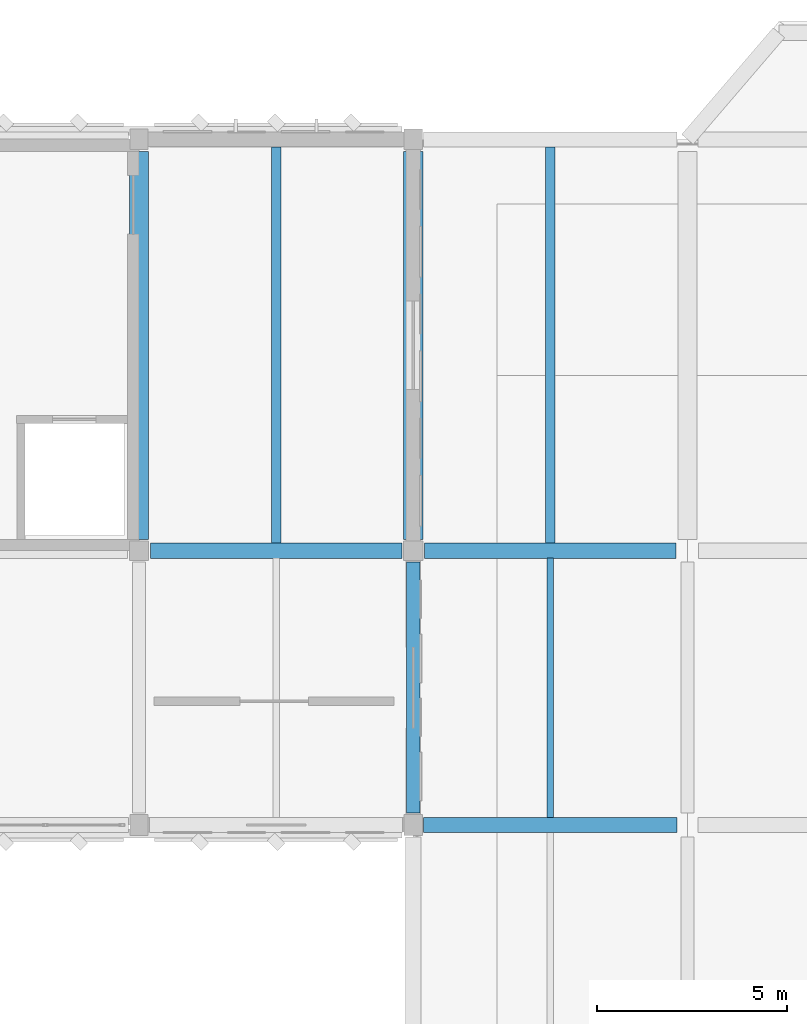
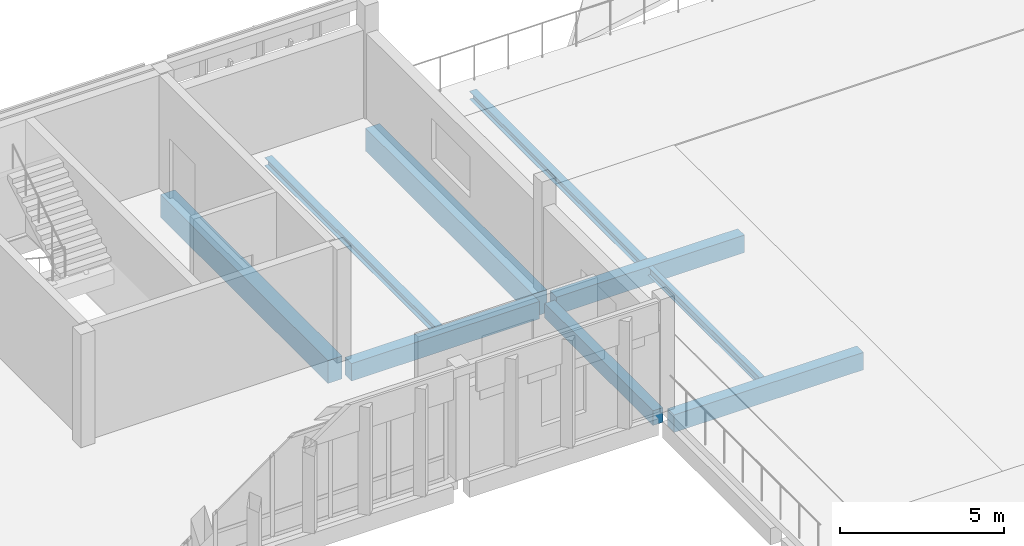
# One storey, part 44 of 72: 9 beams.
"""IFC4 building model written with IfcOpenShell, lengths in metres."""

from ifc_helpers import new_model, si_unit, direction, frame, origin, origin_2d, place, context, subcontext, project, spatial, rectangle, i_section, extrude, material, material_profile, profile_set, type_object, element, save


model = new_model("IFC4")

# Units and contexts
model_context = context("Model", 3, precision=1e-05, world=origin(), true_north=direction((0.0, 1.0)))
body_context = subcontext(model_context, "Body", "Model", "MODEL_VIEW")
ifc_project = project(units=[si_unit("LENGTHUNIT", "METRE"), si_unit("AREAUNIT", "SQUARE_METRE"), si_unit("VOLUMEUNIT", "CUBIC_METRE"), si_unit("PLANEANGLEUNIT", "RADIAN"), si_unit("MASSUNIT", "GRAM", prefix="KILO")], contexts=[model_context])

# Site, building, storey
site_placement = place(None, origin())
site = spatial("IfcSite", under=ifc_project, at=site_placement, CompositionType="ELEMENT")
building_placement = place(site_placement, origin())
building = spatial("IfcBuilding", under=site, at=building_placement, Name="Lusvemor Sports Hall", CompositionType="ELEMENT")
storey_placement = place(building_placement, frame((0.0, 0.0, 15.0)))
storey = spatial("IfcBuildingStorey", under=building, at=storey_placement, Name="L03", CompositionType="ELEMENT", Elevation=15.0)

# Beams
ifc_material_1 = material(Name="Concrete C40/50", Category="concrete")
ifc_material_profile_1 = material_profile(ifc_material_1, rectangle(XDim=0.35009765625, YDim=0.550048828125, at=origin_2d()), Name="RC350x550")
ifc_profile_set_1 = profile_set([ifc_material_profile_1], Name="Concrete C40/50")
beam_type_1 = type_object("IfcBeamType", Name="BEAM_RC_550", PredefinedType="BEAM", material=ifc_profile_set_1)
beam_1_placement = place(storey_placement, frame((118.800048828125, 97.51611328125, -0.570068359375), z_axis=(0.0, 1.0, 0.0), x_axis=(-1.0, 0.0, 0.0)))
element("IfcBeam", 1, at=beam_1_placement, inside=storey, type_object=beam_type_1, Name="Beam L03 13:N-P", PredefinedType="BEAM", context=body_context, shape_type="SweptSolid", body=[
    extrude(rectangle(XDim=0.35009765625, YDim=0.550048828125, at=origin_2d()), origin(), (0.0, 0.0, 1.0), 6.587890625),
])
ifc_material_2 = material(Name="Concrete C40/50", Category="concrete")
ifc_material_profile_2 = material_profile(ifc_material_2, rectangle(XDim=0.39990234375, YDim=0.64990234375, at=origin_2d()), Name="RC400x650")
ifc_profile_set_2 = profile_set([ifc_material_profile_2], Name="Concrete C40/50")
beam_type_2 = type_object("IfcBeamType", Name="BEAM_RC_650", PredefinedType="BEAM", material=ifc_profile_set_2)
beam_2_placement = place(storey_placement, frame((119.075927734375, 97.199951171875, -0.6201171875), z_axis=(1.0, 0.0, 0.0), x_axis=(0.0, 1.0, 0.0)))
element("IfcBeam", 2, at=beam_2_placement, inside=storey, type_object=beam_type_2, Name="Beam L03 N:13-14", PredefinedType="BEAM", context=body_context, shape_type="SweptSolid", body=[
    extrude(rectangle(XDim=0.39990234375, YDim=0.64990234375, at=origin_2d()), origin(), (0.0, 0.0, 1.0), 6.648193359375),
])
beam_3_placement = place(storey_placement, frame((111.89599609375, 104.39990234375, -0.56494140625), z_axis=(1.0, 0.0, 0.0), x_axis=(0.0, 1.0, 0.0)))
element("IfcBeam", 3, at=beam_3_placement, inside=storey, type_object=beam_type_2, Name="Beam L03 P:12-13", PredefinedType="BEAM", context=body_context, shape_type="SweptSolid", body=[
    extrude(rectangle(XDim=0.39990234375, YDim=0.64990234375, at=origin_2d()), origin(), (0.0, 0.0, 1.0), 6.60791015625),
])
beam_4_placement = place(storey_placement, frame((119.095947265625, 104.39990234375, -0.6201171875), z_axis=(1.0, 0.0, 0.0), x_axis=(0.0, 1.0, 0.0)))
element("IfcBeam", 4, at=beam_4_placement, inside=storey, type_object=beam_type_2, Name="Beam L03 P:13-14", PredefinedType="BEAM", context=body_context, shape_type="SweptSolid", body=[
    extrude(rectangle(XDim=0.39990234375, YDim=0.64990234375, at=origin_2d()), origin(), (0.0, 0.0, 1.0), 6.608154296875),
])
ifc_material_3 = material(Name="Concrete C40/50", Category="concrete")
ifc_material_profile_3 = material_profile(ifc_material_3, rectangle(XDim=0.5, YDim=0.85009765625, at=origin_2d()), Name="RC500x850")
ifc_profile_set_3 = profile_set([ifc_material_profile_3], Name="Concrete C40/50")
beam_type_3 = type_object("IfcBeamType", Name="GIRD_RC_850", PredefinedType="T_BEAM", material=ifc_profile_set_3)
for number, where, z_axis, x_axis, name in (
    (5, (111.60009765625, 104.696044921875, -0.6650390625), (0.0, 1.0, 0.0), (-1.0, 0.0, 0.0), "Beam L03 12:P-Q"),
    (6, (118.800048828125, 104.696044921875, -0.719970703125), (0.0, 1.0, 0.0), (-1.0, 0.0, 0.0), "Beam L03 13:P-Q"),
):
    element("IfcBeam", number, at=place(storey_placement, frame(where, z_axis=z_axis, x_axis=x_axis)), inside=storey, type_object=beam_type_3, Name=name, PredefinedType="T_BEAM", context=body_context, shape_type="SweptSolid", body=[
        extrude(rectangle(XDim=0.5, YDim=0.85009765625, at=origin_2d()), origin(), (0.0, 0.0, 1.0), 10.18798828125),
    ])
ifc_material_4 = material(Name="Steel S355", Category="steel")
ifc_material_profile_4 = material_profile(ifc_material_4, i_section(OverallWidth=0.25390625, OverallDepth=0.305908203125, WebThickness=0.0087890625, FlangeThickness=0.0146484375, FilletRadius=0.014892578125, at=origin_2d()), Name="W310x79.0")
ifc_profile_set_4 = profile_set([ifc_material_profile_4], Name="Steel S355")
beam_type_4 = type_object("IfcBeamType", Name="JOIST_ST_310H", PredefinedType="JOIST", material=ifc_profile_set_4)
for number, where, z_axis, x_axis, name in (
    (7, (115.199951171875, 104.595947265625, -0.39697265625), (0.0, 1.0, 0.0), (-1.0, 0.0, 0.0), "Secondary Joist L03 12-13/P-Q #1"),
    (8, (122.39990234375, 104.595947265625, -0.451904296875), (0.0, 1.0, 0.0), (-1.0, 0.0, 0.0), "Secondary Joist L03 13-14/P-Q #1"),
):
    element("IfcBeam", number, at=place(storey_placement, frame(where, z_axis=z_axis, x_axis=x_axis)), inside=storey, type_object=beam_type_4, Name=name, PredefinedType="JOIST", context=body_context, shape_type="SweptSolid", body=[
        extrude(i_section(OverallWidth=0.25390625, OverallDepth=0.305908203125, WebThickness=0.0087890625, FlangeThickness=0.0146484375, FilletRadius=0.014892578125, at=origin_2d()), origin(), (0.0, 0.0, 1.0), 10.407958984375),
    ])
ifc_material_5 = material(Name="Steel S355", Category="steel")
ifc_material_profile_5 = material_profile(ifc_material_5, i_section(OverallWidth=0.1669921875, OverallDepth=0.31689453125, WebThickness=0.007568359375, FlangeThickness=0.01318359375, FilletRadius=0.014892578125, at=origin_2d()), Name="W310x52.0")
ifc_profile_set_5 = profile_set([ifc_material_profile_5], Name="Steel S355")
beam_type_5 = type_object("IfcBeamType", Name="JOIST_ST_310M", PredefinedType="JOIST", material=ifc_profile_set_5)
beam_5_placement = place(storey_placement, frame((122.39990234375, 97.39599609375, -0.45751953125), z_axis=(0.0, 1.0, 0.0), x_axis=(-1.0, 0.0, 0.0)))
element("IfcBeam", 9, at=beam_5_placement, inside=storey, type_object=beam_type_5, Name="Secondary Joist L03 13-14/N-P #1", PredefinedType="JOIST", context=body_context, shape_type="SweptSolid", body=[
    extrude(i_section(OverallWidth=0.1669921875, OverallDepth=0.31689453125, WebThickness=0.007568359375, FlangeThickness=0.01318359375, FilletRadius=0.014892578125, at=origin_2d()), origin(), (0.0, 0.0, 1.0), 6.80810546875),
])

save(model, "model.ifc")
